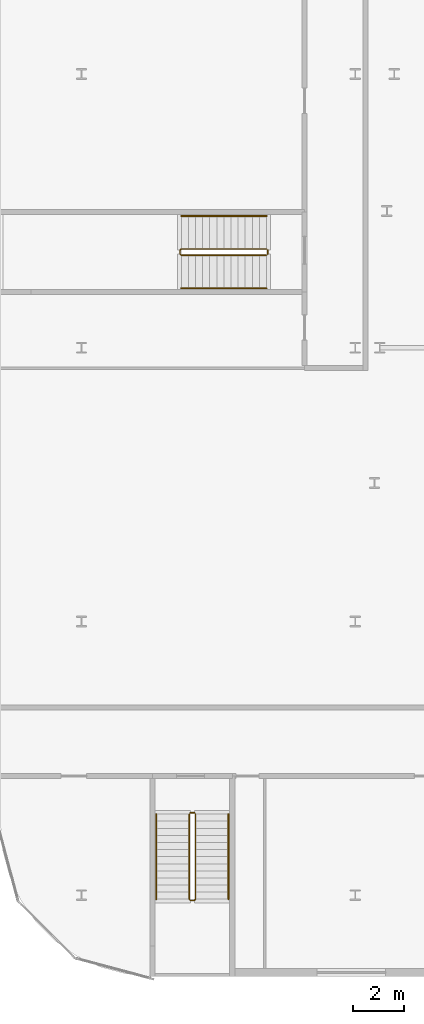
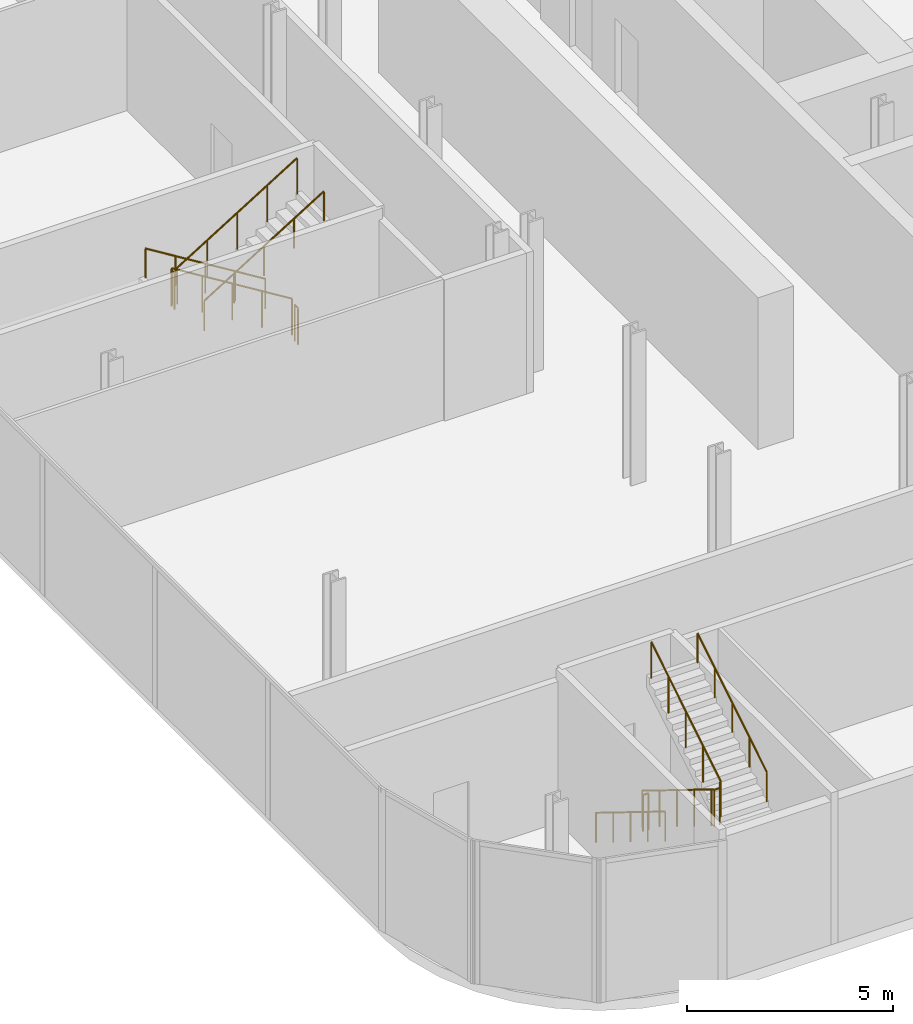
# One storey, part 39 of 47: 8 railings.
"""IFC4 building model written with IfcOpenShell, lengths in metres."""

from ifc_helpers import new_model, si_unit, direction, frame, origin, origin_2d, place, context, subcontext, project, spatial, circle, extrude, material, type_object, element, save


model = new_model("IFC4")

# Units and contexts
model_context = context("Model", 3, precision=1e-05, world=origin(), true_north=direction((0.0, 1.0)))
body_context = subcontext(model_context, "Body", "Model", "MODEL_VIEW")
ifc_project = project(units=[si_unit("LENGTHUNIT", "METRE"), si_unit("AREAUNIT", "SQUARE_METRE"), si_unit("VOLUMEUNIT", "CUBIC_METRE"), si_unit("PLANEANGLEUNIT", "RADIAN"), si_unit("MASSUNIT", "GRAM", prefix="KILO")], contexts=[model_context])

# Site, building, storey
site_placement = place(None, origin())
site = spatial("IfcSite", under=ifc_project, at=site_placement, CompositionType="ELEMENT")
building_placement = place(site_placement, origin())
building = spatial("IfcBuilding", under=site, at=building_placement, Name="Kheshtan School and Residences Tower", CompositionType="ELEMENT")
storey_placement = place(building_placement, frame((0.0, 0.0, 17.0)))
storey = spatial("IfcBuildingStorey", under=building, at=storey_placement, Name="L03", CompositionType="ELEMENT", Elevation=17.0)

# Railings
ifc_material_1 = material(Name="Stainless steel balustrade", Category="steel")
railing_type_1 = type_object("IfcRailingType", Name="Stair guard 1100", PredefinedType="GUARDRAIL", material=ifc_material_1)
railing_1_placement = place(storey_placement, frame((22.5, 38.699951171875, 0.173095703125)))
element("IfcRailing", 1, at=railing_1_placement, inside=storey, type_object=railing_type_1, Name="L03 PS-012-037 stair guard 1", PredefinedType="GUARDRAIL", context=body_context, shape_type="SweptSolid", body=[
    extrude(circle(Radius=0.02392578125, at=origin_2d()), frame((0.0, 0.0, 1.076171875), z_axis=(-0.850623216509, 0.0, 0.525775754039), x_axis=(0.0, -1.0, 0.0)), (0.0, 0.0, 1.0), 3.9501953125),
    extrude(circle(Radius=0.02392578125, at=origin_2d()), frame((-3.360107421875, 0.0, 3.15283203125), z_axis=(-0.705375805398, -0.708833529934, 0.0), x_axis=(0.708833529934, -0.705375805398, 0.0)), (0.0, 0.0, 1.0), 0.070556640625),
    extrude(circle(Radius=0.02392578125, at=origin_2d()), frame((-3.409912109375, -0.050048828125, 3.15283203125), z_axis=(0.0, -1.0, 0.0), x_axis=(1.0, 0.0, 0.0)), (0.0, 0.0, 1.0), 0.14990234375),
    extrude(circle(Radius=0.02392578125, at=origin_2d()), frame((-3.409912109375, -0.199951171875, 3.15283203125), z_axis=(0.266417085129, -0.267723051232, 0.925929967433), x_axis=(0.708833529934, 0.705375805398, 0.0)), (0.0, 0.0, 1.0), 0.18701171875),
    extrude(circle(Radius=0.02392578125, at=origin_2d()), frame((-3.360107421875, -0.25, 3.326171875), z_axis=(0.850623216509, 0.0, 0.525775754039), x_axis=(0.0, 1.0, 0.0)), (0.0, 0.0, 1.0), 3.9501953125),
    extrude(circle(Radius=0.02099609375, at=origin_2d()), origin(), (0.0, 0.0, 1.0), 1.052001953125),
    extrude(circle(Radius=0.02099609375, at=origin_2d()), frame((-0.840087890625, 0.0, 0.519287109375)), (0.0, 0.0, 1.0), 1.052001953125),
    extrude(circle(Radius=0.02099609375, at=origin_2d()), frame((-1.68017578125, 0.0, 1.03857421875)), (0.0, 0.0, 1.0), 1.052001953125),
    extrude(circle(Radius=0.02099609375, at=origin_2d()), frame((-2.52001953125, 0.0, 1.5576171875)), (0.0, 0.0, 1.0), 1.052001953125),
    extrude(circle(Radius=0.02099609375, at=origin_2d()), frame((-3.360107421875, 0.0, 2.076904296875)), (0.0, 0.0, 1.0), 1.052001953125),
    extrude(circle(Radius=0.02099609375, at=origin_2d()), frame((-3.409912109375, -0.050048828125, 2.076904296875)), (0.0, 0.0, 1.0), 1.052001953125),
    extrude(circle(Radius=0.02099609375, at=origin_2d()), frame((-3.409912109375, -0.199951171875, 2.076904296875)), (0.0, 0.0, 1.0), 1.052001953125),
    extrude(circle(Radius=0.02099609375, at=origin_2d()), frame((-3.360107421875, -0.25, 2.25)), (0.0, 0.0, 1.0), 1.052001953125),
    extrude(circle(Radius=0.02099609375, at=origin_2d()), frame((-2.52001953125, -0.25, 2.769287109375)), (0.0, 0.0, 1.0), 1.052001953125),
    extrude(circle(Radius=0.02099609375, at=origin_2d()), frame((-1.68017578125, -0.25, 3.28857421875)), (0.0, 0.0, 1.0), 1.052001953125),
    extrude(circle(Radius=0.02099609375, at=origin_2d()), frame((-0.840087890625, -0.25, 3.8076171875)), (0.0, 0.0, 1.0), 1.052001953125),
    extrude(circle(Radius=0.02099609375, at=origin_2d()), frame((0.0, -0.25, 4.326904296875)), (0.0, 0.0, 1.0), 1.052001953125),
])
railing_2_placement = place(storey_placement, frame((22.550048828125, 38.64990234375, 0.0)))
element("IfcRailing", 2, at=railing_2_placement, inside=storey, type_object=railing_type_1, Name="L03 PS-012-037 stair guard 2", PredefinedType="GUARDRAIL", context=body_context, shape_type="SweptSolid", body=[
    extrude(circle(Radius=0.02392578125, at=origin_2d()), frame((0.0, 0.0, 1.076171875), z_axis=(0.0, -1.0, 0.0), x_axis=(1.0, 0.0, 0.0)), (0.0, 0.0, 1.0), 0.14990234375),
    extrude(circle(Radius=0.02099609375, at=origin_2d()), origin(), (0.0, 0.0, 1.0), 1.052001953125),
    extrude(circle(Radius=0.02099609375, at=origin_2d()), frame((0.0, -0.14990234375, 0.0)), (0.0, 0.0, 1.0), 1.052001953125),
])
railing_3_placement = place(storey_placement, frame((19.449951171875, 16.39990234375, 0.173095703125)))
element("IfcRailing", 3, at=railing_3_placement, inside=storey, type_object=railing_type_1, Name="L03 PS-018-010 stair guard 1", PredefinedType="GUARDRAIL", context=body_context, shape_type="SweptSolid", body=[
    extrude(circle(Radius=0.02392578125, at=origin_2d()), frame((0.0, 0.0, 1.076171875), z_axis=(0.0, -0.850606129759, 0.525803396734), x_axis=(1.0, 0.0, 0.0)), (0.0, 0.0, 1.0), 3.949951171875),
    extrude(circle(Radius=0.02392578125, at=origin_2d()), frame((0.0, -3.35986328125, 3.15283203125), z_axis=(0.707106781187, -0.707106781187, 0.0), x_axis=(0.707106781187, 0.707106781187, 0.0)), (0.0, 0.0, 1.0), 0.07080078125),
    extrude(circle(Radius=0.02392578125, at=origin_2d()), frame((0.050048828125, -3.409912109375, 3.15283203125), z_axis=(1.0, 0.0, 0.0), x_axis=(0.0, 1.0, 0.0)), (0.0, 0.0, 1.0), 0.14990234375),
    extrude(circle(Radius=0.02392578125, at=origin_2d()), frame((0.199951171875, -3.409912109375, 3.15283203125), z_axis=(0.267629722418, 0.267629722418, 0.925607186314), x_axis=(-0.707106781187, 0.707106781187, 0.0)), (0.0, 0.0, 1.0), 0.18701171875),
    extrude(circle(Radius=0.02392578125, at=origin_2d()), frame((0.25, -3.35986328125, 3.326171875), z_axis=(0.0, 0.850606129759, 0.525803396734), x_axis=(-1.0, 0.0, 0.0)), (0.0, 0.0, 1.0), 3.949951171875),
    extrude(circle(Radius=0.02099609375, at=origin_2d()), origin(), (0.0, 0.0, 1.0), 1.052001953125),
    extrude(circle(Radius=0.02099609375, at=origin_2d()), frame((0.0, -0.83984375, 0.519287109375)), (0.0, 0.0, 1.0), 1.052001953125),
    extrude(circle(Radius=0.02099609375, at=origin_2d()), frame((0.0, -1.679931640625, 1.03857421875)), (0.0, 0.0, 1.0), 1.052001953125),
    extrude(circle(Radius=0.02099609375, at=origin_2d()), frame((0.0, -2.52001953125, 1.5576171875)), (0.0, 0.0, 1.0), 1.052001953125),
    extrude(circle(Radius=0.02099609375, at=origin_2d()), frame((0.0, -3.35986328125, 2.076904296875)), (0.0, 0.0, 1.0), 1.052001953125),
    extrude(circle(Radius=0.02099609375, at=origin_2d()), frame((0.050048828125, -3.409912109375, 2.076904296875)), (0.0, 0.0, 1.0), 1.052001953125),
    extrude(circle(Radius=0.02099609375, at=origin_2d()), frame((0.199951171875, -3.409912109375, 2.076904296875)), (0.0, 0.0, 1.0), 1.052001953125),
    extrude(circle(Radius=0.02099609375, at=origin_2d()), frame((0.25, -3.35986328125, 2.25)), (0.0, 0.0, 1.0), 1.052001953125),
    extrude(circle(Radius=0.02099609375, at=origin_2d()), frame((0.25, -2.52001953125, 2.769287109375)), (0.0, 0.0, 1.0), 1.052001953125),
    extrude(circle(Radius=0.02099609375, at=origin_2d()), frame((0.25, -1.679931640625, 3.28857421875)), (0.0, 0.0, 1.0), 1.052001953125),
    extrude(circle(Radius=0.02099609375, at=origin_2d()), frame((0.25, -0.83984375, 3.8076171875)), (0.0, 0.0, 1.0), 1.052001953125),
    extrude(circle(Radius=0.02099609375, at=origin_2d()), frame((0.25, 0.0, 4.326904296875)), (0.0, 0.0, 1.0), 1.052001953125),
])
railing_4_placement = place(storey_placement, frame((19.5, 16.449951171875, 0.0)))
element("IfcRailing", 4, at=railing_4_placement, inside=storey, type_object=railing_type_1, Name="L03 PS-018-010 stair guard 2", PredefinedType="GUARDRAIL", context=body_context, shape_type="SweptSolid", body=[
    extrude(circle(Radius=0.02392578125, at=origin_2d()), frame((0.0, 0.0, 1.076171875), z_axis=(1.0, 0.0, 0.0), x_axis=(0.0, 1.0, 0.0)), (0.0, 0.0, 1.0), 0.14990234375),
    extrude(circle(Radius=0.02099609375, at=origin_2d()), origin(), (0.0, 0.0, 1.0), 1.052001953125),
    extrude(circle(Radius=0.02099609375, at=origin_2d()), frame((0.14990234375, 0.0, 0.0)), (0.0, 0.0, 1.0), 1.052001953125),
])
ifc_material_2 = material(Name="Stainless steel handrail", Category="steel")
railing_type_2 = type_object("IfcRailingType", Name="Stair handrail 900", PredefinedType="HANDRAIL", material=ifc_material_2)
railing_5_placement = place(storey_placement, frame((22.5, 40.0, 0.173095703125)))
element("IfcRailing", 5, at=railing_5_placement, inside=storey, type_object=railing_type_2, Name="L03 PS-012-037 stair handrail 1", PredefinedType="HANDRAIL", context=body_context, shape_type="SweptSolid", body=[
    extrude(circle(Radius=0.02392578125, at=origin_2d()), frame((0.0, 0.0, 0.8759765625), z_axis=(-0.850623216509, 0.0, 0.525775754039), x_axis=(0.0, -1.0, 0.0)), (0.0, 0.0, 1.0), 3.9501953125),
    extrude(circle(Radius=0.02099609375, at=origin_2d()), origin(), (0.0, 0.0, 1.0), 0.851806640625),
    extrude(circle(Radius=0.02099609375, at=origin_2d()), frame((-0.840087890625, 0.0, 0.519287109375)), (0.0, 0.0, 1.0), 0.851806640625),
    extrude(circle(Radius=0.02099609375, at=origin_2d()), frame((-1.68017578125, 0.0, 1.03857421875)), (0.0, 0.0, 1.0), 0.851806640625),
    extrude(circle(Radius=0.02099609375, at=origin_2d()), frame((-2.52001953125, 0.0, 1.5576171875)), (0.0, 0.0, 1.0), 0.851806640625),
    extrude(circle(Radius=0.02099609375, at=origin_2d()), frame((-3.360107421875, 0.0, 2.076904296875)), (0.0, 0.0, 1.0), 0.851806640625),
])
railing_6_placement = place(storey_placement, frame((19.139892578125, 37.14990234375, 2.423095703125)))
element("IfcRailing", 6, at=railing_6_placement, inside=storey, type_object=railing_type_2, Name="L03 PS-012-037 stair handrail 2", PredefinedType="HANDRAIL", context=body_context, shape_type="SweptSolid", body=[
    extrude(circle(Radius=0.02392578125, at=origin_2d()), frame((0.0, 0.0, 0.8759765625), z_axis=(0.850623216509, 0.0, 0.525775754039), x_axis=(0.0, 1.0, 0.0)), (0.0, 0.0, 1.0), 3.9501953125),
    extrude(circle(Radius=0.02099609375, at=origin_2d()), origin(), (0.0, 0.0, 1.0), 0.851806640625),
    extrude(circle(Radius=0.02099609375, at=origin_2d()), frame((0.840087890625, 0.0, 0.519287109375)), (0.0, 0.0, 1.0), 0.851806640625),
    extrude(circle(Radius=0.02099609375, at=origin_2d()), frame((1.68017578125, 0.0, 1.03857421875)), (0.0, 0.0, 1.0), 0.851806640625),
    extrude(circle(Radius=0.02099609375, at=origin_2d()), frame((2.52001953125, 0.0, 1.5576171875)), (0.0, 0.0, 1.0), 0.851806640625),
    extrude(circle(Radius=0.02099609375, at=origin_2d()), frame((3.360107421875, 0.0, 2.076904296875)), (0.0, 0.0, 1.0), 0.851806640625),
])
railing_7_placement = place(storey_placement, frame((18.14990234375, 16.39990234375, 0.173095703125)))
element("IfcRailing", 7, at=railing_7_placement, inside=storey, type_object=railing_type_2, Name="L03 PS-018-010 stair handrail 1", PredefinedType="HANDRAIL", context=body_context, shape_type="SweptSolid", body=[
    extrude(circle(Radius=0.02392578125, at=origin_2d()), frame((0.0, 0.0, 0.8759765625), z_axis=(0.0, -0.850606129759, 0.525803396734), x_axis=(1.0, 0.0, 0.0)), (0.0, 0.0, 1.0), 3.949951171875),
    extrude(circle(Radius=0.02099609375, at=origin_2d()), origin(), (0.0, 0.0, 1.0), 0.851806640625),
    extrude(circle(Radius=0.02099609375, at=origin_2d()), frame((0.0, -0.83984375, 0.519287109375)), (0.0, 0.0, 1.0), 0.851806640625),
    extrude(circle(Radius=0.02099609375, at=origin_2d()), frame((0.0, -1.679931640625, 1.03857421875)), (0.0, 0.0, 1.0), 0.851806640625),
    extrude(circle(Radius=0.02099609375, at=origin_2d()), frame((0.0, -2.52001953125, 1.5576171875)), (0.0, 0.0, 1.0), 0.851806640625),
    extrude(circle(Radius=0.02099609375, at=origin_2d()), frame((0.0, -3.35986328125, 2.076904296875)), (0.0, 0.0, 1.0), 0.851806640625),
])
railing_8_placement = place(storey_placement, frame((21.0, 13.0400390625, 2.423095703125)))
element("IfcRailing", 8, at=railing_8_placement, inside=storey, type_object=railing_type_2, Name="L03 PS-018-010 stair handrail 2", PredefinedType="HANDRAIL", context=body_context, shape_type="SweptSolid", body=[
    extrude(circle(Radius=0.02392578125, at=origin_2d()), frame((0.0, 0.0, 0.8759765625), z_axis=(0.0, 0.850606129759, 0.525803396734), x_axis=(-1.0, 0.0, 0.0)), (0.0, 0.0, 1.0), 3.949951171875),
    extrude(circle(Radius=0.02099609375, at=origin_2d()), origin(), (0.0, 0.0, 1.0), 0.851806640625),
    extrude(circle(Radius=0.02099609375, at=origin_2d()), frame((0.0, 0.83984375, 0.519287109375)), (0.0, 0.0, 1.0), 0.851806640625),
    extrude(circle(Radius=0.02099609375, at=origin_2d()), frame((0.0, 1.679931640625, 1.03857421875)), (0.0, 0.0, 1.0), 0.851806640625),
    extrude(circle(Radius=0.02099609375, at=origin_2d()), frame((0.0, 2.52001953125, 1.5576171875)), (0.0, 0.0, 1.0), 0.851806640625),
    extrude(circle(Radius=0.02099609375, at=origin_2d()), frame((0.0, 3.35986328125, 2.076904296875)), (0.0, 0.0, 1.0), 0.851806640625),
])

save(model, "model.ifc")
